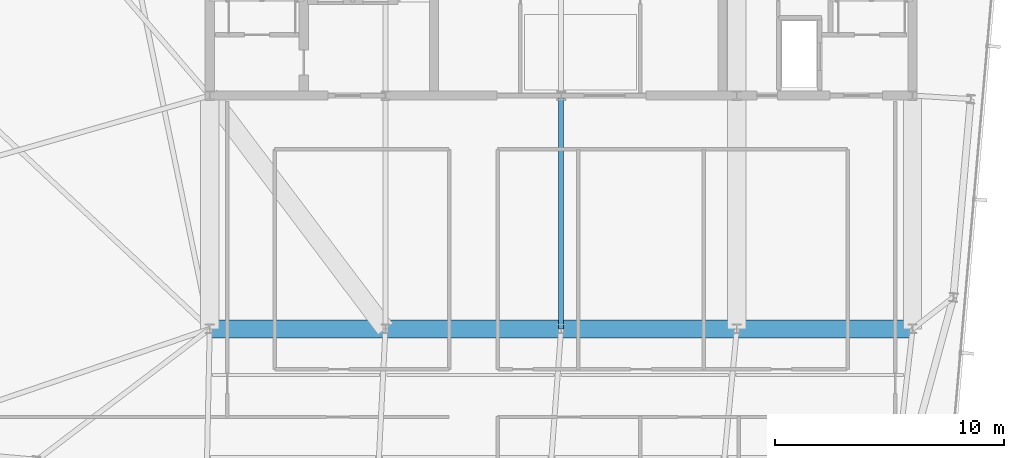
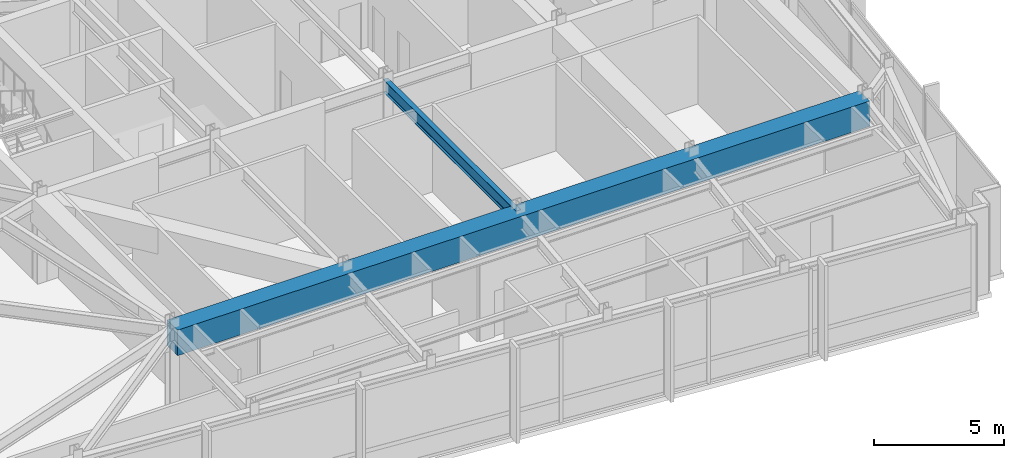
# One storey, part 11 of 25: 2 beams.
"""IFC4 building model written with IfcOpenShell, lengths in metres."""

from ifc_helpers import new_model, si_unit, direction, frame, origin, origin_2d, place, context, subcontext, project, spatial, rectangle, i_section, extrude, material, material_profile, profile_set, type_object, element, save


model = new_model("IFC4")

# Units and contexts
model_context = context("Model", 3, precision=1e-05, world=origin(), true_north=direction((0.0, 1.0)))
body_context = subcontext(model_context, "Body", "Model", "MODEL_VIEW")
ifc_project = project(units=[si_unit("LENGTHUNIT", "METRE"), si_unit("AREAUNIT", "SQUARE_METRE"), si_unit("VOLUMEUNIT", "CUBIC_METRE"), si_unit("PLANEANGLEUNIT", "RADIAN"), si_unit("MASSUNIT", "GRAM", prefix="KILO")], contexts=[model_context])

# Site, building, storey
site_placement = place(None, origin())
site = spatial("IfcSite", under=ifc_project, at=site_placement, CompositionType="ELEMENT")
building_placement = place(site_placement, origin())
building = spatial("IfcBuilding", under=site, at=building_placement, Name="Yelkora Congress Tower", CompositionType="ELEMENT")
storey_placement = place(building_placement, frame((0.0, 0.0, 299.89990234375)))
storey = spatial("IfcBuildingStorey", under=building, at=storey_placement, Name="L84", CompositionType="ELEMENT", Elevation=299.89990234375)

# Beams
ifc_material_1 = material(Name="Steel S355J2", Category="steel")
ifc_material_profile_1 = material_profile(ifc_material_1, i_section(OverallWidth=0.219970703125, OverallDepth=0.60009765625, WebThickness=0.011962890625, FlangeThickness=0.01904296875, FilletRadius=0.02392578125, at=origin_2d()), Name="IPE 600")
ifc_profile_set_1 = profile_set([ifc_material_profile_1], Name="Steel S355J2")
beam_type_1 = type_object("IfcBeamType", Name="BM-GIRD-IPE600", PredefinedType="BEAM", material=ifc_profile_set_1)
beam_1_placement = place(storey_placement, frame((38.39990234375, 25.199951171875, 3.780029296875), z_axis=(0.0, 1.0, 0.0), x_axis=(-1.0, 0.0, 0.0)))
element("IfcBeam", 1, at=beam_1_placement, inside=storey, type_object=beam_type_1, Name="L84 Core Tie Girder MC-D3", PredefinedType="BEAM", context=body_context, shape_type="SweptSolid", body=[
    extrude(i_section(OverallWidth=0.219970703125, OverallDepth=0.60009765625, WebThickness=0.011962890625, FlangeThickness=0.01904296875, FilletRadius=0.02392578125, at=origin_2d()), origin(), (0.0, 0.0, 1.0), 10.199951171875),
])
ifc_material_2 = material(Name="Concrete C60/75", Category="concrete")
ifc_material_profile_2 = material_profile(ifc_material_2, rectangle(XDim=0.800048828125, YDim=1.199951171875, at=origin_2d()), Name="RC 800x1200")
ifc_profile_set_2 = profile_set([ifc_material_profile_2], Name="Concrete C60/75")
beam_type_2 = type_object("IfcBeamType", Name="BM-XFER-RC1200", PredefinedType="BEAM", material=ifc_profile_set_2)
beam_2_placement = place(storey_placement, frame((23.0400390625, 25.199951171875, 3.47998046875), z_axis=(1.0, 0.0, 0.0), x_axis=(0.0, 1.0, 0.0)))
element("IfcBeam", 2, at=beam_2_placement, inside=storey, type_object=beam_type_2, Name="L84 Transfer Backspan Girder CRN-C01", PredefinedType="BEAM", context=body_context, shape_type="SweptSolid", body=[
    extrude(rectangle(XDim=0.800048828125, YDim=1.199951171875, at=origin_2d()), origin(), (0.0, 0.0, 1.0), 30.719970703125),
])

save(model, "model.ifc")
